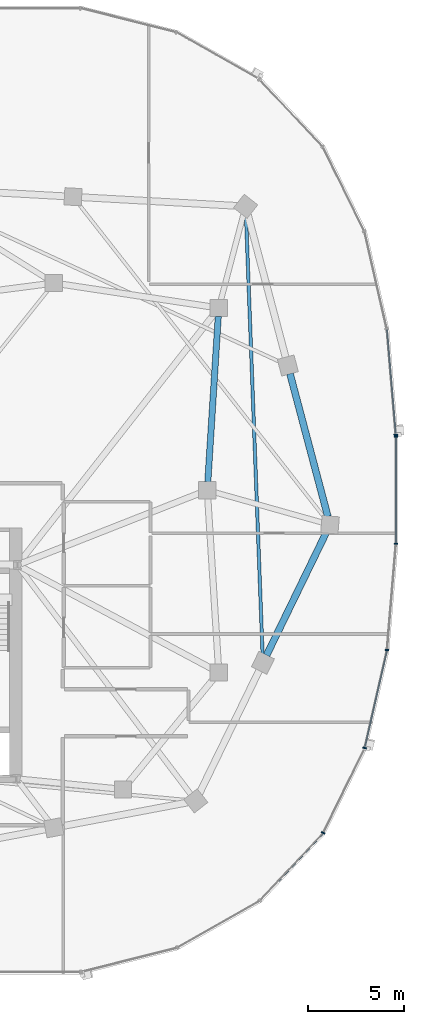
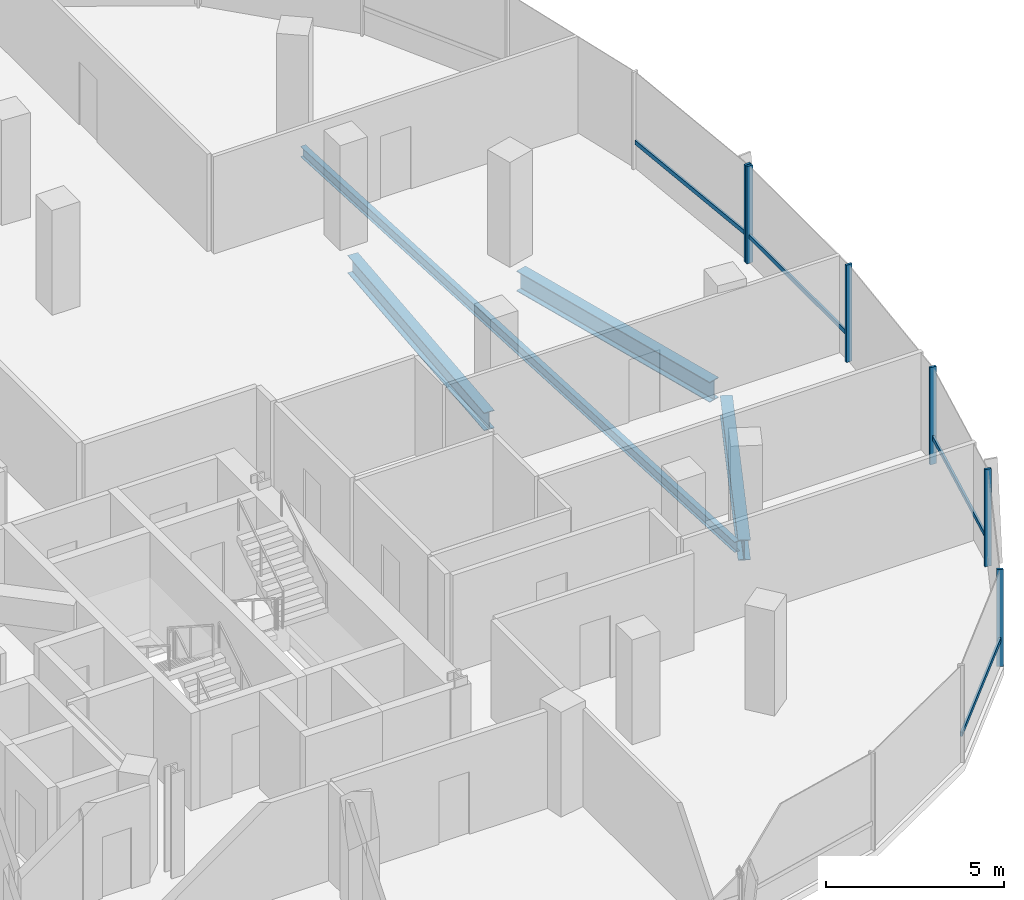
# One storey, part 10 of 25: 10 members, 4 beams, 2 elements without a shape of their own.
"""IFC4 building model written with IfcOpenShell, lengths in metres."""

from ifc_helpers import new_model, si_unit, direction, frame, origin, origin_2d, place, context, subcontext, project, spatial, rectangle, i_section, extrude, material, material_profile, profile_set, type_object, element, aggregate, save


model = new_model("IFC4")

# Units and contexts
model_context = context("Model", 3, precision=1e-05, world=origin(), true_north=direction((0.0, 1.0)))
body_context = subcontext(model_context, "Body", "Model", "MODEL_VIEW")
ifc_project = project(units=[si_unit("LENGTHUNIT", "METRE"), si_unit("AREAUNIT", "SQUARE_METRE"), si_unit("VOLUMEUNIT", "CUBIC_METRE"), si_unit("PLANEANGLEUNIT", "RADIAN"), si_unit("MASSUNIT", "GRAM", prefix="KILO"), si_unit("THERMODYNAMICTEMPERATUREUNIT", "KELVIN"), si_unit("POWERUNIT", "WATT")], contexts=[model_context])

# Site, building, storey
site_placement = place(None, origin())
site = spatial("IfcSite", under=ifc_project, at=site_placement, CompositionType="ELEMENT")
building_placement = place(site_placement, origin())
building = spatial("IfcBuilding", under=site, at=building_placement, Name="Cundina Bronze Exchange", CompositionType="ELEMENT")
storey_placement = place(building_placement, frame((0.0, 0.0, 213.39990234375)))
storey = spatial("IfcBuildingStorey", under=building, at=storey_placement, Name="L56", CompositionType="ELEMENT", Elevation=213.39990234375)

# Beams
ifc_material_1 = material(Name="Steel ASTM A992 Grade 50", Category="steel")
ifc_material_profile_1 = material_profile(ifc_material_1, i_section(OverallWidth=0.172119140625, OverallDepth=0.35791015625, WebThickness=0.0078125, FlangeThickness=0.01318359375, FilletRadius=0.010009765625, at=origin_2d()), Name="W14X38", Category="steel")
ifc_profile_set_1 = profile_set([ifc_material_profile_1], Name="Steel ASTM A992 Grade 50")
beam_type_1 = type_object("IfcBeamType", Name="BM-JST-W14", PredefinedType="JOIST", material=ifc_profile_set_1)
beam_1_placement = place(storey_placement, frame((44.08349609375, -8.562255859375, -0.43896484375), z_axis=(-0.037790216102, 0.999285694667, 0.0), x_axis=(-0.999285694667, -0.037790216102, 0.0)))
element("IfcBeam", 1, at=beam_1_placement, inside=storey, type_object=beam_type_1, Name="L56 Leg E Lobe Floor Joist 07-10", PredefinedType="JOIST", context=body_context, shape_type="SweptSolid", body=[
    extrude(i_section(OverallWidth=0.172119140625, OverallDepth=0.35791015625, WebThickness=0.0078125, FlangeThickness=0.01318359375, FilletRadius=0.010009765625, at=origin_2d()), origin(), (0.0, 0.0, 1.0), 22.94091796875),
])
ifc_material_profile_2 = material_profile(ifc_material_1, i_section(OverallWidth=0.324951171875, OverallDepth=0.615966796875, WebThickness=0.013916015625, FlangeThickness=0.021484375, FilletRadius=0.01611328125, at=origin_2d()), Name="W24X117", Category="steel")
ifc_profile_set_2 = profile_set([ifc_material_profile_2], Name="Steel ASTM A992 Grade 50")
beam_type_2 = type_object("IfcBeamType", Name="BM-RING-W24", PredefinedType="USERDEFINED", material=ifc_profile_set_2)
beam_2_placement = place(storey_placement, frame((41.2275390625, 0.43701171875, -0.56787109375), z_axis=(0.063046519736, 0.998010589297, 0.0), x_axis=(-0.998010589297, 0.063046519736, 0.0)))
element("IfcBeam", 2, at=beam_2_placement, inside=storey, type_object=beam_type_2, Name="L56 E Inner Structural Ring Girder 04", ObjectType="GIRDER", PredefinedType="USERDEFINED", context=body_context, shape_type="SweptSolid", body=[
    extrude(i_section(OverallWidth=0.324951171875, OverallDepth=0.615966796875, WebThickness=0.013916015625, FlangeThickness=0.021484375, FilletRadius=0.01611328125, at=origin_2d()), origin(), (0.0, 0.0, 1.0), 8.64306640625),
])
ifc_material_profile_3 = material_profile(ifc_material_1, i_section(OverallWidth=0.35498046875, OverallDepth=0.695068359375, WebThickness=0.015380859375, FlangeThickness=0.02490234375, FilletRadius=0.01806640625, at=origin_2d()), Name="W27X146", Category="steel")
ifc_profile_set_3 = profile_set([ifc_material_profile_3], Name="Steel ASTM A992 Grade 50")
beam_type_3 = type_object("IfcBeamType", Name="BM-RING-W27", PredefinedType="USERDEFINED", material=ifc_profile_set_3)
beam_3_placement = place(storey_placement, frame((44.29150390625, -8.606201171875, -0.607421875), z_axis=(0.437173087764, 0.89937739094, 0.0), x_axis=(-0.89937739094, 0.437173087764, 0.0)))
element("IfcBeam", 3, at=beam_3_placement, inside=storey, type_object=beam_type_3, Name="L56 E Perimeter Ring Girder 07", ObjectType="GIRDER", PredefinedType="USERDEFINED", context=body_context, shape_type="SweptSolid", body=[
    extrude(i_section(OverallWidth=0.35498046875, OverallDepth=0.695068359375, WebThickness=0.015380859375, FlangeThickness=0.02490234375, FilletRadius=0.01806640625, at=origin_2d()), origin(), (0.0, 0.0, 1.0), 7.1298828125),
])
beam_4_placement = place(storey_placement, frame((47.48779296875, -1.376708984375, -0.607421875), z_axis=(-0.256211934474, 0.966620631185, 0.0), x_axis=(-0.966620631185, -0.256211934474, 0.0)))
element("IfcBeam", 4, at=beam_4_placement, inside=storey, type_object=beam_type_3, Name="L56 E Perimeter Ring Girder 08", ObjectType="GIRDER", PredefinedType="USERDEFINED", context=body_context, shape_type="SweptSolid", body=[
    extrude(i_section(OverallWidth=0.35498046875, OverallDepth=0.695068359375, WebThickness=0.015380859375, FlangeThickness=0.02490234375, FilletRadius=0.01806640625, at=origin_2d()), origin(), (0.0, 0.0, 1.0), 7.710693359375),
])

# Curtain wall, member
ifc_material_2 = material(Name="Anodised Bronze Aluminium 6063-T6", Category="aluminium")
curtain_wall_type = type_object("IfcCurtainWallType", Name="CWS-UPP-OFF", PredefinedType="NOTDEFINED", material=ifc_material_2)
curtain_wall_1_placement = place(storey_placement, origin())
curtain_wall_1 = element("IfcCurtainWall", 5, at=curtain_wall_1_placement, inside=storey, type_object=curtain_wall_type, Name="L56 CW-05 Curtain Wall Run CWR-L56-E1", PredefinedType="NOTDEFINED")
ifc_material_profile_4 = material_profile(ifc_material_2, rectangle(XDim=0.070068359375, YDim=0.18994140625, at=origin_2d()), Name="AL70X190", Category="aluminium")
ifc_profile_set_4 = profile_set([ifc_material_profile_4], Name="Anodised Bronze Aluminium 6063-T6")
member_type_1 = type_object("IfcMemberType", Name="CWM-MUL-190", PredefinedType="MULLION", material=ifc_profile_set_4)
member_1_placement = place(storey_placement, frame((51.0302734375, 2.88330078125, 0.0), z_axis=(0.0, 0.0, 1.0), x_axis=(-0.083677843332, 0.99649285925, 0.0)))
member_1 = element("IfcMember", 6, at=member_1_placement, type_object=member_type_1, Name="CW-05 Mullion 1", PredefinedType="MULLION", context=body_context, shape_type="SweptSolid", body=[
    extrude(rectangle(XDim=0.070068359375, YDim=0.18994140625, at=origin_2d()), origin(), (0.0, 0.0, 1.0), 3.340087890625),
])

# Curtain wall, members
curtain_wall_2_placement = place(storey_placement, origin())
curtain_wall_2 = element("IfcCurtainWall", 7, at=curtain_wall_2_placement, inside=storey, type_object=curtain_wall_type, Name="L56 CW-05 Curtain Wall Run CWR-L56-E4", PredefinedType="NOTDEFINED")
member_2_placement = place(storey_placement, frame((47.245361328125, -17.866455078125, 0.0), z_axis=(0.0, 0.0, 1.0), x_axis=(0.440566004113, 0.897720221461, 0.0)))
member_2 = element("IfcMember", 8, at=member_2_placement, type_object=member_type_1, Name="CW-05 Mullion 4", PredefinedType="MULLION", context=body_context, shape_type="SweptSolid", body=[
    extrude(rectangle(XDim=0.070068359375, YDim=0.18994140625, at=origin_2d()), origin(), (0.0, 0.0, 1.0), 3.340087890625),
])
member_3_placement = place(storey_placement, frame((49.40771484375, -13.440673828125, 0.0), z_axis=(0.0, 0.0, 1.0), x_axis=(0.223250116011, 0.974761194191, 0.0)))
member_3 = element("IfcMember", 9, at=member_3_placement, type_object=member_type_1, Name="CW-05 Mullion 5", PredefinedType="MULLION", context=body_context, shape_type="SweptSolid", body=[
    extrude(rectangle(XDim=0.070068359375, YDim=0.18994140625, at=origin_2d()), origin(), (0.0, 0.0, 1.0), 3.340087890625),
])
member_4_placement = place(storey_placement, frame((50.572509765625, -8.33056640625, 0.0), z_axis=(0.0, 0.0, 1.0), x_axis=(0.083677843332, 0.99649285925, 0.0)))
member_4 = element("IfcMember", 10, at=member_4_placement, type_object=member_type_1, Name="CW-05 Mullion 6", PredefinedType="MULLION", context=body_context, shape_type="SweptSolid", body=[
    extrude(rectangle(XDim=0.070068359375, YDim=0.18994140625, at=origin_2d()), origin(), (0.0, 0.0, 1.0), 3.340087890625),
])
member_5_placement = place(storey_placement, frame((51.033935546875, -2.794921875, 0.0), z_axis=(0.0, 0.0, 1.0), x_axis=(0.0, 1.0, 0.0)))
member_5 = element("IfcMember", 11, at=member_5_placement, type_object=member_type_1, Name="CW-05 Mullion 7", PredefinedType="MULLION", context=body_context, shape_type="SweptSolid", body=[
    extrude(rectangle(XDim=0.070068359375, YDim=0.18994140625, at=origin_2d()), origin(), (0.0, 0.0, 1.0), 3.340087890625),
])
member_6_placement = place(storey_placement, frame((51.033935546875, 2.794921875, 0.0), z_axis=(0.0, 0.0, 1.0), x_axis=(0.0, 1.0, 0.0)))
member_6 = element("IfcMember", 12, at=member_6_placement, type_object=member_type_1, Name="CW-05 End Mullion", PredefinedType="MULLION", context=body_context, shape_type="SweptSolid", body=[
    extrude(rectangle(XDim=0.070068359375, YDim=0.18994140625, at=origin_2d()), origin(), (0.0, 0.0, 1.0), 3.340087890625),
])

# Member
ifc_material_profile_5 = material_profile(ifc_material_2, rectangle(XDim=0.06494140625, YDim=0.14990234375, at=origin_2d()), Name="AL65X150", Category="aluminium")
ifc_profile_set_5 = profile_set([ifc_material_profile_5], Name="Anodised Bronze Aluminium 6063-T6")
member_type_2 = type_object("IfcMemberType", Name="CWM-TRN-150", PredefinedType="USERDEFINED", material=ifc_profile_set_5)
member_7_placement = place(storey_placement, frame((51.027099609375, 2.921630859375, 0.920166015625), z_axis=(-0.083740331158, 0.996487610027, 0.0), x_axis=(-0.996487610027, -0.083740331158, 0.0)))
member_7 = element("IfcMember", 13, at=member_7_placement, type_object=member_type_2, Name="CW-05 Spandrel Transom 1", ObjectType="TRANSOM", PredefinedType="USERDEFINED", context=body_context, shape_type="SweptSolid", body=[
    extrude(rectangle(XDim=0.06494140625, YDim=0.14990234375, at=origin_2d()), origin(), (0.0, 0.0, 1.0), 5.466552734375),
])

aggregate(curtain_wall_1, [member_1, member_7])

member_8_placement = place(storey_placement, frame((43.97509765625, -21.364501953125, 0.920166015625), z_axis=(0.684336416554, 0.729166420633, 0.0), x_axis=(-0.729166420633, 0.684336416554, 0.0)))
member_8 = element("IfcMember", 14, at=member_8_placement, type_object=member_type_2, Name="CW-05 Spandrel Transom 3", ObjectType="TRANSOM", PredefinedType="USERDEFINED", context=body_context, shape_type="SweptSolid", body=[
    extrude(rectangle(XDim=0.06494140625, YDim=0.14990234375, at=origin_2d()), origin(), (0.0, 0.0, 1.0), 4.76513671875),
])

member_9_placement = place(storey_placement, frame((49.41650390625, -13.403076171875, 0.920166015625), z_axis=(0.22328343579, 0.974753562344, 0.0), x_axis=(-0.974753562344, 0.22328343579, 0.0)))
member_9 = element("IfcMember", 15, at=member_9_placement, type_object=member_type_2, Name="CW-05 Spandrel Transom 5", ObjectType="TRANSOM", PredefinedType="USERDEFINED", context=body_context, shape_type="SweptSolid", body=[
    extrude(rectangle(XDim=0.06494140625, YDim=0.14990234375, at=origin_2d()), origin(), (0.0, 0.0, 1.0), 5.159912109375),
])

member_10_placement = place(storey_placement, frame((51.033935546875, -2.756591796875, 0.920166015625), z_axis=(0.0, 1.0, 0.0), x_axis=(-1.0, 0.0, 0.0)))
member_10 = element("IfcMember", 16, at=member_10_placement, type_object=member_type_2, Name="CW-05 Spandrel Transom 7", ObjectType="TRANSOM", PredefinedType="USERDEFINED", context=body_context, shape_type="SweptSolid", body=[
    extrude(rectangle(XDim=0.06494140625, YDim=0.14990234375, at=origin_2d()), origin(), (0.0, 0.0, 1.0), 5.51318359375),
])

aggregate(curtain_wall_2, [member_8, member_2, member_3, member_9, member_4, member_5, member_6, member_10])

save(model, "model.ifc")
